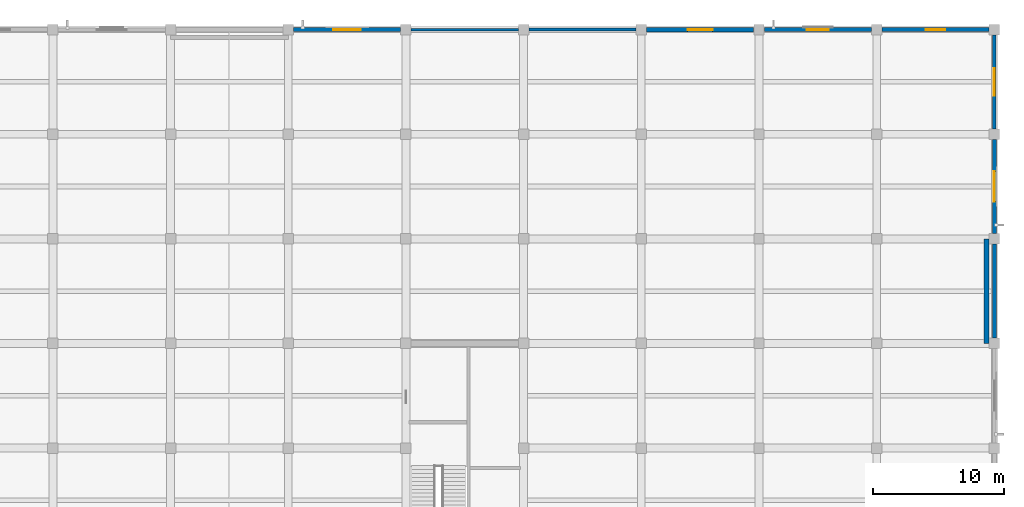
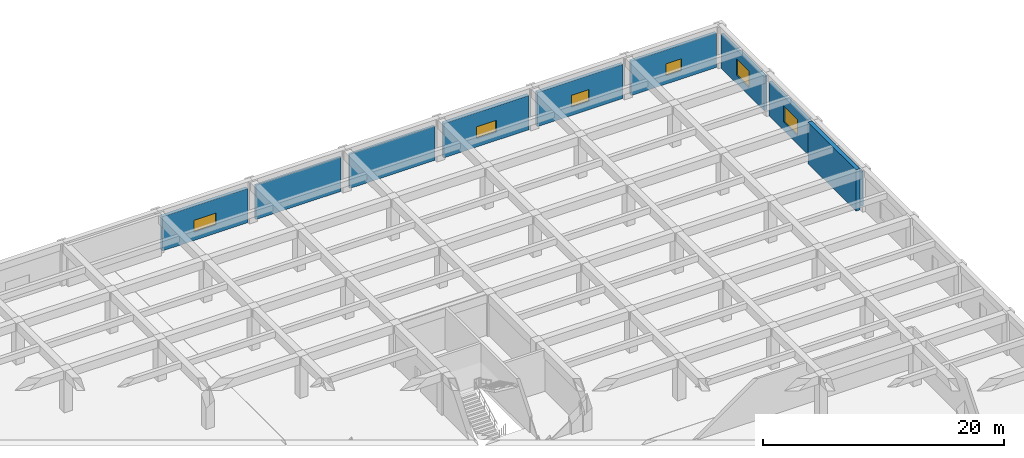
# One storey, part 19 of 32: 10 walls, 6 windows, 6 openings.
"""IFC4 building model written with IfcOpenShell, lengths in metres."""

from ifc_helpers import new_model, si_unit, direction, frame, frame_2d, origin, place, context, subcontext, project, spatial, rectangle, extrude, material, layer, layer_set, type_object, element, fill, save


model = new_model("IFC4")

# Units and contexts
model_context = context("Model", 3, precision=1e-05, world=origin(), true_north=direction((0.0, 1.0)))
body_context = subcontext(model_context, "Body", "Model", "MODEL_VIEW")
ifc_project = project(units=[si_unit("LENGTHUNIT", "METRE"), si_unit("AREAUNIT", "SQUARE_METRE"), si_unit("VOLUMEUNIT", "CUBIC_METRE"), si_unit("PLANEANGLEUNIT", "RADIAN"), si_unit("MASSUNIT", "GRAM", prefix="KILO")], contexts=[model_context])

# Site, building, storey
site_placement = place(None, origin())
site = spatial("IfcSite", under=ifc_project, at=site_placement, CompositionType="ELEMENT")
building_placement = place(site_placement, origin())
building = spatial("IfcBuilding", under=site, at=building_placement, Name="Zaverband Oceanarium and Marine Research Institute", CompositionType="ELEMENT")
storey_placement = place(building_placement, frame((0.0, 0.0, 13.5)))
storey = spatial("IfcBuildingStorey", under=building, at=storey_placement, Name="L03", CompositionType="ELEMENT", Elevation=13.5)

# Walls
ifc_material_1 = material(Name="Concrete C40/50 precast", Category="concrete")
ifc_layer_1 = layer(ifc_material_1, 0.18505859375, Name="Concrete C40/50 precast")
ifc_layer_set_1 = layer_set([ifc_layer_1], Name="Concrete C40/50 precast")
wall_type_1 = type_object("IfcWallType", Name="CLS-185", PredefinedType="ELEMENTEDWALL", material=ifc_layer_set_1)
wall_1_placement = place(storey_placement, frame((135.405029296875, 120.0, 0.0), z_axis=(0.0, 0.0, 1.0), x_axis=(1.0, 0.0, 0.0)))
element("IfcWall", 1, at=wall_1_placement, inside=storey, type_object=wall_type_1, Name="Pierced concrete screen CLS-185", PredefinedType="ELEMENTEDWALL", context=body_context, shape_type="SweptSolid", body=[
    extrude(rectangle(XDim=8.18994140625, YDim=0.18505859375, at=frame_2d((4.094970703125, 0.0))), origin(), (0.0, 0.0, 1.0), 3.47998046875),
])
ifc_layer_2 = layer(ifc_material_1, 0.2099609375, Name="Concrete C40/50 precast")
ifc_layer_set_2 = layer_set([ifc_layer_2], Name="Concrete C40/50 precast")
wall_type_2 = type_object("IfcWallType", Name="CLS-210", PredefinedType="ELEMENTEDWALL", material=ifc_layer_set_2)
wall_2_placement = place(storey_placement, frame((144.405029296875, 120.0, 0.0), z_axis=(0.0, 0.0, 1.0), x_axis=(1.0, 0.0, 0.0)))
element("IfcWall", 2, at=wall_2_placement, inside=storey, type_object=wall_type_2, Name="Pierced concrete screen CLS-210", PredefinedType="ELEMENTEDWALL", context=body_context, shape_type="SweptSolid", body=[
    extrude(rectangle(XDim=8.18994140625, YDim=0.2099609375, at=frame_2d((4.094970703125, 0.0))), origin(), (0.0, 0.0, 1.0), 3.47998046875),
])

# Wall, opening, window
ifc_layer_3 = layer(ifc_material_1, 0.264892578125, Name="Concrete C40/50 precast")
ifc_layer_set_3 = layer_set([ifc_layer_3], Name="Concrete C40/50 precast")
wall_type_3 = type_object("IfcWallType", Name="EW-265", PredefinedType="STANDARD", material=ifc_layer_set_3)
wall_3_placement = place(storey_placement, frame((180.0, 112.405029296875, 0.0), z_axis=(0.0, 0.0, 1.0), x_axis=(0.0, 1.0, 0.0)))
wall_3 = element("IfcWall", 3, at=wall_3_placement, inside=storey, type_object=wall_type_3, Name="Exterior infill wall EW-265", PredefinedType="STANDARD", context=body_context, shape_type="SweptSolid", body=[
    extrude(rectangle(XDim=7.18994140625, YDim=0.264892578125, at=frame_2d((3.594970703125, 0.0))), origin(), (0.0, 0.0, 1.0), 3.47998046875),
])
opening_1_placement = place(wall_3_placement, frame((2.544921875, 0.0, 0.85009765625)))
opening_1 = element("IfcOpeningElement", 4, at=opening_1_placement, cuts=wall_3, Name="Opening WN-2100x1650", PredefinedType="OPENING", context=body_context, shape_type="SweptSolid", body=[
    extrude(rectangle(XDim=2.10009765625, YDim=1.64990234375, at=frame_2d((1.050048828125, 0.824951171875))), frame((0.0, 0.14453125, 0.0), z_axis=(0.0, -1.0, 0.0), x_axis=(1.0, 0.0, 0.0)), (0.0, 0.0, 1.0), 0.288818359375),
])
ifc_material_2 = material(Name="Thermally broken anodized aluminium and solar-control glass", Category="aluminium")
window_type_1 = type_object("IfcWindowType", Name="WN-2100x1650", PartitioningType="SINGLE_PANEL", PredefinedType="WINDOW", material=ifc_material_2)
window_1_placement = place(opening_1_placement, origin())
window_1 = element("IfcWindow", 5, at=window_1_placement, inside=storey, type_object=window_type_1, Name="Fixed / casement exterior window WN-2100x1650", OverallHeight=1.64990234375, OverallWidth=2.10009765625, PartitioningType="SINGLE_PANEL", PredefinedType="WINDOW", context=body_context, shape_type="SweptSolid", body=[
    extrude(rectangle(XDim=2.10009765625, YDim=1.64990234375, at=frame_2d((1.050048828125, 0.824951171875))), frame((0.0, 0.030029296875, 0.0), z_axis=(0.0, -1.0, 0.0), x_axis=(1.0, 0.0, 0.0)), (0.0, 0.0, 1.0), 0.06005859375),
])
fill(opening_1, window_1)

ifc_layer_4 = layer(ifc_material_1, 0.2900390625, Name="Concrete C40/50 precast")
ifc_layer_set_4 = layer_set([ifc_layer_4], Name="Concrete C40/50 precast")
wall_type_4 = type_object("IfcWallType", Name="EW-290", PredefinedType="STANDARD", material=ifc_layer_set_4)
wall_4_placement = place(storey_placement, frame((171.405029296875, 120.0, 0.0), z_axis=(0.0, 0.0, 1.0), x_axis=(1.0, 0.0, 0.0)))
wall_4 = element("IfcWall", 6, at=wall_4_placement, inside=storey, type_object=wall_type_4, Name="Exterior infill wall EW-290", PredefinedType="STANDARD", context=body_context, shape_type="SweptSolid", body=[
    extrude(rectangle(XDim=8.18994140625, YDim=0.2900390625, at=frame_2d((4.094970703125, 0.0))), origin(), (0.0, 0.0, 1.0), 3.47998046875),
])
opening_2_placement = place(wall_4_placement, frame((3.344970703125, 0.0, 0.85009765625)))
opening_2 = element("IfcOpeningElement", 7, at=opening_2_placement, cuts=wall_4, Name="Opening WN-1500x1200", PredefinedType="OPENING", context=body_context, shape_type="SweptSolid", body=[
    extrude(rectangle(XDim=1.5, YDim=1.199951171875, at=frame_2d((0.75, 0.60009765625))), frame((0.0, 0.156982421875, 0.0), z_axis=(0.0, -1.0, 0.0), x_axis=(1.0, 0.0, 0.0)), (0.0, 0.0, 1.0), 0.31396484375),
])
window_type_2 = type_object("IfcWindowType", Name="WN-1500x1200", PartitioningType="SINGLE_PANEL", PredefinedType="WINDOW", material=ifc_material_2)
window_2_placement = place(opening_2_placement, origin())
window_2 = element("IfcWindow", 8, at=window_2_placement, inside=storey, type_object=window_type_2, Name="Fixed / casement exterior window WN-1500x1200", OverallHeight=1.199951171875, OverallWidth=1.5, PartitioningType="SINGLE_PANEL", PredefinedType="WINDOW", context=body_context, shape_type="SweptSolid", body=[
    extrude(rectangle(XDim=1.5, YDim=1.199951171875, at=frame_2d((0.75, 0.60009765625))), frame((0.0, 0.030029296875, 0.0), z_axis=(0.0, -1.0, 0.0), x_axis=(1.0, 0.0, 0.0)), (0.0, 0.0, 1.0), 0.06005859375),
])
fill(opening_2, window_2)

wall_5_placement = place(storey_placement, frame((180.0, 104.405029296875, 0.0), z_axis=(0.0, 0.0, 1.0), x_axis=(0.0, 1.0, 0.0)))
wall_5 = element("IfcWall", 9, at=wall_5_placement, inside=storey, type_object=wall_type_4, Name="Exterior infill wall EW-290", PredefinedType="STANDARD", context=body_context, shape_type="SweptSolid", body=[
    extrude(rectangle(XDim=7.18994140625, YDim=0.2900390625, at=frame_2d((3.594970703125, 0.0))), origin(), (0.0, 0.0, 1.0), 3.47998046875),
])
opening_3_placement = place(wall_5_placement, frame((2.445068359375, 0.0, 0.85009765625)))
opening_3 = element("IfcOpeningElement", 10, at=opening_3_placement, cuts=wall_5, Name="Opening WN-2300x1650", PredefinedType="OPENING", context=body_context, shape_type="SweptSolid", body=[
    extrude(rectangle(XDim=2.300048828125, YDim=1.64990234375, at=frame_2d((1.14990234375, 0.824951171875))), frame((0.0, 0.156982421875, 0.0), z_axis=(0.0, -1.0, 0.0), x_axis=(1.0, 0.0, 0.0)), (0.0, 0.0, 1.0), 0.31396484375),
])
window_type_3 = type_object("IfcWindowType", Name="WN-2300x1650", PartitioningType="SINGLE_PANEL", PredefinedType="WINDOW", material=ifc_material_2)
window_3_placement = place(opening_3_placement, origin())
window_3 = element("IfcWindow", 11, at=window_3_placement, inside=storey, type_object=window_type_3, Name="Fixed / casement exterior window WN-2300x1650", OverallHeight=1.64990234375, OverallWidth=2.300048828125, PartitioningType="SINGLE_PANEL", PredefinedType="WINDOW", context=body_context, shape_type="SweptSolid", body=[
    extrude(rectangle(XDim=2.300048828125, YDim=1.64990234375, at=frame_2d((1.14990234375, 0.824951171875))), frame((0.0, 0.030029296875, 0.0), z_axis=(0.0, -1.0, 0.0), x_axis=(1.0, 0.0, 0.0)), (0.0, 0.0, 1.0), 0.06005859375),
])
fill(opening_3, window_3)

ifc_layer_5 = layer(ifc_material_1, 0.31005859375, Name="Concrete C40/50 precast")
ifc_layer_set_5 = layer_set([ifc_layer_5], Name="Concrete C40/50 precast")
wall_type_5 = type_object("IfcWallType", Name="EW-310", PredefinedType="STANDARD", material=ifc_layer_set_5)
wall_6_placement = place(storey_placement, frame((126.405029296875, 120.0, 0.0), z_axis=(0.0, 0.0, 1.0), x_axis=(1.0, 0.0, 0.0)))
wall_6 = element("IfcWall", 12, at=wall_6_placement, inside=storey, type_object=wall_type_5, Name="Exterior infill wall EW-310", PredefinedType="STANDARD", context=body_context, shape_type="SweptSolid", body=[
    extrude(rectangle(XDim=8.18994140625, YDim=0.31005859375, at=frame_2d((4.094970703125, 0.0))), origin(), (0.0, 0.0, 1.0), 3.47998046875),
])
opening_4_placement = place(wall_6_placement, frame((3.044921875, 0.0, 0.85009765625)))
opening_4 = element("IfcOpeningElement", 13, at=opening_4_placement, cuts=wall_6, Name="Opening WN-2100x1200", PredefinedType="OPENING", context=body_context, shape_type="SweptSolid", body=[
    extrude(rectangle(XDim=2.10009765625, YDim=1.199951171875, at=frame_2d((1.050048828125, 0.60009765625))), frame((0.0, 0.1669921875, 0.0), z_axis=(0.0, -1.0, 0.0), x_axis=(1.0, 0.0, 0.0)), (0.0, 0.0, 1.0), 0.333984375),
])
window_type_4 = type_object("IfcWindowType", Name="WN-2100x1200", PartitioningType="SINGLE_PANEL", PredefinedType="WINDOW", material=ifc_material_2)
window_4_placement = place(opening_4_placement, origin())
window_4 = element("IfcWindow", 14, at=window_4_placement, inside=storey, type_object=window_type_4, Name="Fixed / casement exterior window WN-2100x1200", OverallHeight=1.199951171875, OverallWidth=2.10009765625, PartitioningType="SINGLE_PANEL", PredefinedType="WINDOW", context=body_context, shape_type="SweptSolid", body=[
    extrude(rectangle(XDim=2.10009765625, YDim=1.199951171875, at=frame_2d((1.050048828125, 0.60009765625))), frame((0.0, 0.030029296875, 0.0), z_axis=(0.0, -1.0, 0.0), x_axis=(1.0, 0.0, 0.0)), (0.0, 0.0, 1.0), 0.06005859375),
])
fill(opening_4, window_4)

wall_7_placement = place(storey_placement, frame((162.405029296875, 120.0, 0.0), z_axis=(0.0, 0.0, 1.0), x_axis=(1.0, 0.0, 0.0)))
wall_7 = element("IfcWall", 15, at=wall_7_placement, inside=storey, type_object=wall_type_5, Name="Exterior infill wall EW-310", PredefinedType="STANDARD", context=body_context, shape_type="SweptSolid", body=[
    extrude(rectangle(XDim=8.18994140625, YDim=0.31005859375, at=frame_2d((4.094970703125, 0.0))), origin(), (0.0, 0.0, 1.0), 3.47998046875),
])
opening_5_placement = place(wall_7_placement, frame((3.2451171875, 0.0, 0.85009765625)))
opening_5 = element("IfcOpeningElement", 16, at=opening_5_placement, cuts=wall_7, Name="Opening WN-1700x1200", PredefinedType="OPENING", context=body_context, shape_type="SweptSolid", body=[
    extrude(rectangle(XDim=1.699951171875, YDim=1.199951171875, at=frame_2d((0.85009765625, 0.60009765625))), frame((0.0, 0.1669921875, 0.0), z_axis=(0.0, -1.0, 0.0), x_axis=(1.0, 0.0, 0.0)), (0.0, 0.0, 1.0), 0.333984375),
])
window_type_5 = type_object("IfcWindowType", Name="WN-1700x1200", PartitioningType="SINGLE_PANEL", PredefinedType="WINDOW", material=ifc_material_2)
window_5_placement = place(opening_5_placement, origin())
window_5 = element("IfcWindow", 17, at=window_5_placement, inside=storey, type_object=window_type_5, Name="Fixed / casement exterior window WN-1700x1200", OverallHeight=1.199951171875, OverallWidth=1.699951171875, PartitioningType="SINGLE_PANEL", PredefinedType="WINDOW", context=body_context, shape_type="SweptSolid", body=[
    extrude(rectangle(XDim=1.699951171875, YDim=1.199951171875, at=frame_2d((0.85009765625, 0.60009765625))), frame((0.0, 0.030029296875, 0.0), z_axis=(0.0, -1.0, 0.0), x_axis=(1.0, 0.0, 0.0)), (0.0, 0.0, 1.0), 0.06005859375),
])
fill(opening_5, window_5)

# Wall
wall_8_placement = place(storey_placement, frame((180.0, 96.405029296875, 0.0), z_axis=(0.0, 0.0, 1.0), x_axis=(0.0, 1.0, 0.0)))
element("IfcWall", 18, at=wall_8_placement, inside=storey, type_object=wall_type_5, Name="Exterior infill wall EW-310", PredefinedType="STANDARD", context=body_context, shape_type="SweptSolid", body=[
    extrude(rectangle(XDim=7.18994140625, YDim=0.31005859375, at=frame_2d((3.594970703125, 0.0))), origin(), (0.0, 0.0, 1.0), 3.47998046875),
])

# Wall, opening, window
ifc_layer_6 = layer(ifc_material_1, 0.340087890625, Name="Concrete C40/50 precast")
ifc_layer_set_6 = layer_set([ifc_layer_6], Name="Concrete C40/50 precast")
wall_type_6 = type_object("IfcWallType", Name="EW-340", PredefinedType="STANDARD", material=ifc_layer_set_6)
wall_9_placement = place(storey_placement, frame((153.405029296875, 120.0, 0.0), z_axis=(0.0, 0.0, 1.0), x_axis=(1.0, 0.0, 0.0)))
wall_9 = element("IfcWall", 19, at=wall_9_placement, inside=storey, type_object=wall_type_6, Name="Exterior infill wall EW-340", PredefinedType="STANDARD", context=body_context, shape_type="SweptSolid", body=[
    extrude(rectangle(XDim=8.18994140625, YDim=0.340087890625, at=frame_2d((4.094970703125, 0.0))), origin(), (0.0, 0.0, 1.0), 3.47998046875),
])
opening_6_placement = place(wall_9_placement, frame((3.14501953125, 0.0, 0.85009765625)))
opening_6 = element("IfcOpeningElement", 20, at=opening_6_placement, cuts=wall_9, Name="Opening WN-1900x1200", PredefinedType="OPENING", context=body_context, shape_type="SweptSolid", body=[
    extrude(rectangle(XDim=1.89990234375, YDim=1.199951171875, at=frame_2d((0.949951171875, 0.60009765625))), frame((0.0, 0.18212890625, 0.0), z_axis=(0.0, -1.0, 0.0), x_axis=(1.0, 0.0, 0.0)), (0.0, 0.0, 1.0), 0.364013671875),
])
window_type_6 = type_object("IfcWindowType", Name="WN-1900x1200", PartitioningType="SINGLE_PANEL", PredefinedType="WINDOW", material=ifc_material_2)
window_6_placement = place(opening_6_placement, origin())
window_6 = element("IfcWindow", 21, at=window_6_placement, inside=storey, type_object=window_type_6, Name="Fixed / casement exterior window WN-1900x1200", OverallHeight=1.199951171875, OverallWidth=1.89990234375, PartitioningType="SINGLE_PANEL", PredefinedType="WINDOW", context=body_context, shape_type="SweptSolid", body=[
    extrude(rectangle(XDim=1.89990234375, YDim=1.199951171875, at=frame_2d((0.949951171875, 0.60009765625))), frame((0.0, 0.030029296875, 0.0), z_axis=(0.0, -1.0, 0.0), x_axis=(1.0, 0.0, 0.0)), (0.0, 0.0, 1.0), 0.06005859375),
])
fill(opening_6, window_6)

# Wall
ifc_material_3 = material(Name="Concrete C50/60", Category="concrete")
ifc_layer_7 = layer(ifc_material_3, 0.3798828125, Name="Concrete C50/60")
ifc_layer_set_7 = layer_set([ifc_layer_7], Name="Concrete C50/60")
wall_type_7 = type_object("IfcWallType", Name="SW-02", PredefinedType="SHEAR", material=ifc_layer_set_7)
wall_10_placement = place(storey_placement, frame((179.39990234375, 96.0, 0.0), z_axis=(0.0, 0.0, 1.0), x_axis=(0.0, 1.0, 0.0)))
element("IfcWall", 22, at=wall_10_placement, inside=storey, type_object=wall_type_7, Name="Structural shear wall SW-02", PredefinedType="SHEAR", context=body_context, shape_type="SweptSolid", body=[
    extrude(rectangle(XDim=8.0, YDim=0.3798828125, at=frame_2d((4.0, 0.0))), origin(), (0.0, 0.0, 1.0), 4.199951171875),
])

save(model, "model.ifc")
